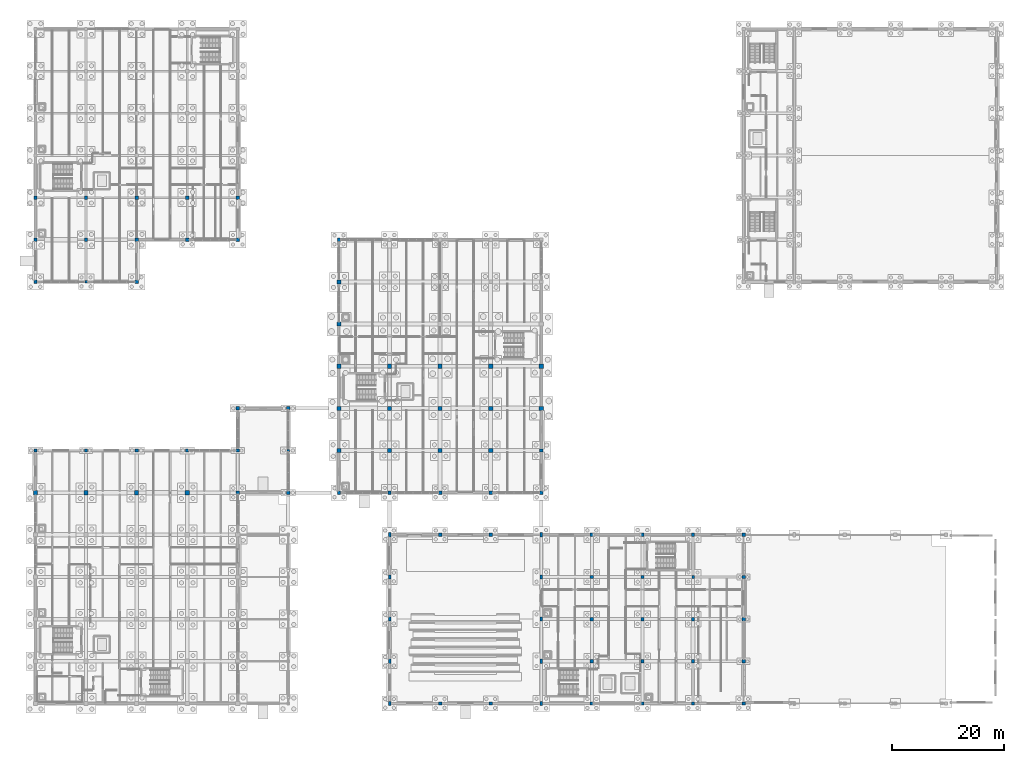
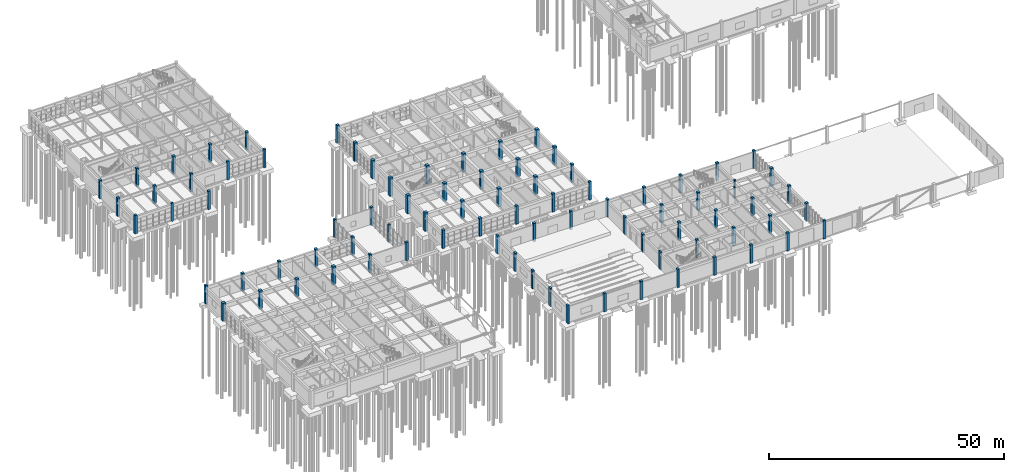
# One storey, part 11 of 93: 84 columns.
"""IFC4 building model written with IfcOpenShell, lengths in metres."""

from ifc_helpers import new_model, si_unit, direction, frame, origin, origin_2d, place, context, subcontext, project, spatial, rectangle, extrude, material, material_profile, profile_set, type_object, element, save


model = new_model("IFC4")

# Units and contexts
model_context = context("Model", 3, precision=1e-05, world=origin(), true_north=direction((0.0, 1.0)))
body_context = subcontext(model_context, "Body", "Model", "MODEL_VIEW")
ifc_project = project(units=[si_unit("LENGTHUNIT", "METRE"), si_unit("AREAUNIT", "SQUARE_METRE"), si_unit("VOLUMEUNIT", "CUBIC_METRE"), si_unit("PLANEANGLEUNIT", "RADIAN"), si_unit("MASSUNIT", "GRAM", prefix="KILO")], contexts=[model_context])

# Site, building, storey
site_placement = place(None, origin())
site = spatial("IfcSite", under=ifc_project, at=site_placement, CompositionType="ELEMENT")
building_placement = place(site_placement, origin())
building = spatial("IfcBuilding", under=site, at=building_placement, Name="Marnridge Secondary College", CompositionType="ELEMENT")
storey_placement = place(building_placement, origin())
storey = spatial("IfcBuildingStorey", under=building, at=storey_placement, Name="L00", CompositionType="ELEMENT", Elevation=0.0)

# Columns
ifc_material_1 = material(Name="Concrete C40/50 (AS 3600 N40, 40 MPa)", Category="concrete")
ifc_material_profile_1 = material_profile(ifc_material_1, rectangle(XDim=0.449951171875, YDim=0.449951171875, at=origin_2d()), Name="RC 450x450")
ifc_profile_set_1 = profile_set([ifc_material_profile_1], Name="Concrete C40/50 (AS 3600 N40, 40 MPa)")
column_type_1 = type_object("IfcColumnType", Name="CL-RC450-EXT", PredefinedType="COLUMN", material=ifc_profile_set_1)
for number, where, z_axis, x_axis, name in (
    (1, (45.0, 45.0, -0.25), (0.0, 0.0, 1.0), (1.0, 0.0, 0.0), "Column C-L00-0289"),
    (2, (9.0, 75.0, -0.25), (0.0, 0.0, 1.0), (1.0, 0.0, 0.0), "Column C-L00-0424"),
):
    element("IfcColumn", number, at=place(storey_placement, frame(where, z_axis=z_axis, x_axis=x_axis)), inside=storey, type_object=column_type_1, Name=name, PredefinedType="COLUMN", context=body_context, shape_type="SweptSolid", body=[
        extrude(rectangle(XDim=0.449951171875, YDim=0.449951171875, at=origin_2d()), origin(), (0.0, 0.0, 1.0), 4.75),
    ])
ifc_material_2 = material(Name="Concrete C40/50 (AS 3600 N40, 40 MPa)", Category="concrete")
ifc_material_profile_2 = material_profile(ifc_material_2, rectangle(XDim=0.449951171875, YDim=0.449951171875, at=origin_2d()), Name="RC 450x450")
ifc_profile_set_2 = profile_set([ifc_material_profile_2], Name="Concrete C40/50 (AS 3600 N40, 40 MPa)")
column_type_2 = type_object("IfcColumnType", Name="CL-RC450-INT", PredefinedType="COLUMN", material=ifc_profile_set_2)
column_placement = place(storey_placement, frame((117.0, 22.5, -0.25), z_axis=(0.0, 0.0, 1.0), x_axis=(1.0, 0.0, 0.0)))
element("IfcColumn", 3, at=column_placement, inside=storey, type_object=column_type_2, Name="Column C-L00-0183", PredefinedType="COLUMN", context=body_context, shape_type="SweptSolid", body=[
    extrude(rectangle(XDim=0.449951171875, YDim=0.449951171875, at=origin_2d()), origin(), (0.0, 0.0, 1.0), 4.75),
])
ifc_material_3 = material(Name="Concrete C40/50 (AS 3600 N40, 40 MPa)", Category="concrete")
ifc_material_profile_3 = material_profile(ifc_material_3, rectangle(XDim=0.449951171875, YDim=0.75, at=origin_2d()), Name="RC 450x750")
ifc_profile_set_3 = profile_set([ifc_material_profile_3], Name="Concrete C40/50 (AS 3600 N40, 40 MPa)")
column_type_3 = type_object("IfcColumnType", Name="CL-RC4575-EXT", PredefinedType="COLUMN", material=ifc_profile_set_3)
for number, where, z_axis, x_axis, name in (
    (4, (63.0, 0.0, -0.25), (0.0, 0.0, 1.0), (1.0, 0.0, 0.0), "Column C-L00-0030"),
    (5, (90.0, 0.0, -0.25), (0.0, 0.0, 1.0), (1.0, 0.0, 0.0), "Column C-L00-0036"),
    (6, (63.0, 7.5, -0.25), (0.0, 0.0, 1.0), (1.0, 0.0, 0.0), "Column C-L00-0082"),
    (7, (90.0, 7.5, -0.25), (0.0, 0.0, 1.0), (1.0, 0.0, 0.0), "Column C-L00-0084"),
    (8, (63.0, 15.0, -0.25), (0.0, 0.0, 1.0), (1.0, 0.0, 0.0), "Column C-L00-0127"),
    (9, (90.0, 15.0, -0.25), (0.0, 0.0, 1.0), (1.0, 0.0, 0.0), "Column C-L00-0129"),
    (10, (63.0, 22.5, -0.25), (0.0, 0.0, 1.0), (1.0, 0.0, 0.0), "Column C-L00-0172"),
    (11, (90.0, 22.5, -0.25), (0.0, 0.0, 1.0), (1.0, 0.0, 0.0), "Column C-L00-0174"),
    (12, (63.0, 30.0, -0.25), (0.0, 0.0, 1.0), (1.0, 0.0, 0.0), "Column C-L00-0217"),
    (13, (90.0, 30.0, -0.25), (0.0, 0.0, 1.0), (1.0, 0.0, 0.0), "Column C-L00-0223"),
):
    element("IfcColumn", number, at=place(storey_placement, frame(where, z_axis=z_axis, x_axis=x_axis)), inside=storey, type_object=column_type_3, Name=name, PredefinedType="COLUMN", context=body_context, shape_type="SweptSolid", body=[
        extrude(rectangle(XDim=0.449951171875, YDim=0.75, at=origin_2d()), origin(), (0.0, 0.0, 1.0), 4.75),
    ])
ifc_material_4 = material(Name="Concrete C40/50 (AS 3600 N40, 40 MPa)", Category="concrete")
ifc_material_profile_4 = material_profile(ifc_material_4, rectangle(XDim=0.60009765625, YDim=0.60009765625, at=origin_2d()), Name="RC 600x600")
ifc_profile_set_4 = profile_set([ifc_material_profile_4], Name="Concrete C40/50 (AS 3600 N40, 40 MPa)")
column_type_4 = type_object("IfcColumnType", Name="CL-RC600-EXT", PredefinedType="COLUMN", material=ifc_profile_set_4)
for number, where, z_axis, x_axis, name in (
    (14, (72.0, 0.0, -0.25), (0.0, 0.0, 1.0), (1.0, 0.0, 0.0), "Column C-L00-0032"),
    (15, (81.0, 0.0, -0.25), (0.0, 0.0, 1.0), (1.0, 0.0, 0.0), "Column C-L00-0034"),
    (16, (99.0, 0.0, -0.25), (0.0, 0.0, 1.0), (1.0, 0.0, 0.0), "Column C-L00-0039"),
    (17, (108.0, 0.0, -0.25), (0.0, 0.0, 1.0), (1.0, 0.0, 0.0), "Column C-L00-0042"),
    (18, (117.0, 0.0, -0.25), (0.0, 0.0, 1.0), (1.0, 0.0, 0.0), "Column C-L00-0045"),
    (19, (126.0, 0.0, -0.25), (0.0, 0.0, 1.0), (1.0, 0.0, 0.0), "Column C-L00-0048"),
    (20, (126.0, 7.5, -0.25), (0.0, 0.0, 1.0), (1.0, 0.0, 0.0), "Column C-L00-0096"),
    (21, (126.0, 15.0, -0.25), (0.0, 0.0, 1.0), (1.0, 0.0, 0.0), "Column C-L00-0141"),
    (22, (126.0, 22.5, -0.25), (0.0, 0.0, 1.0), (1.0, 0.0, 0.0), "Column C-L00-0186"),
    (23, (72.0, 30.0, -0.25), (0.0, 0.0, 1.0), (1.0, 0.0, 0.0), "Column C-L00-0219"),
    (24, (81.0, 30.0, -0.25), (0.0, 0.0, 1.0), (1.0, 0.0, 0.0), "Column C-L00-0221"),
    (25, (99.0, 30.0, -0.25), (0.0, 0.0, 1.0), (1.0, 0.0, 0.0), "Column C-L00-0226"),
    (26, (108.0, 30.0, -0.25), (0.0, 0.0, 1.0), (1.0, 0.0, 0.0), "Column C-L00-0229"),
    (27, (117.0, 30.0, -0.25), (0.0, 0.0, 1.0), (1.0, 0.0, 0.0), "Column C-L00-0232"),
    (28, (126.0, 30.0, -0.25), (0.0, 0.0, 1.0), (1.0, 0.0, 0.0), "Column C-L00-0235"),
    (29, (36.0, 37.5, -0.25), (0.0, 0.0, 1.0), (1.0, 0.0, 0.0), "Column C-L00-0260"),
    (30, (45.0, 37.5, -0.25), (0.0, 0.0, 1.0), (1.0, 0.0, 0.0), "Column C-L00-0263"),
    (31, (54.0, 37.5, -0.25), (0.0, 0.0, 1.0), (1.0, 0.0, 0.0), "Column C-L00-0264"),
    (32, (63.0, 37.5, -0.25), (0.0, 0.0, 1.0), (1.0, 0.0, 0.0), "Column C-L00-0267"),
    (33, (72.0, 37.5, -0.25), (0.0, 0.0, 1.0), (1.0, 0.0, 0.0), "Column C-L00-0270"),
    (34, (81.0, 37.5, -0.25), (0.0, 0.0, 1.0), (1.0, 0.0, 0.0), "Column C-L00-0273"),
    (35, (90.0, 37.5, -0.25), (0.0, 0.0, 1.0), (1.0, 0.0, 0.0), "Column C-L00-0276"),
    (36, (0.0, 45.0, -0.25), (0.0, 0.0, 1.0), (1.0, 0.0, 0.0), "Column C-L00-0279"),
    (37, (9.0, 45.0, -0.25), (0.0, 0.0, 1.0), (1.0, 0.0, 0.0), "Column C-L00-0281"),
    (38, (18.0, 45.0, -0.25), (0.0, 0.0, 1.0), (1.0, 0.0, 0.0), "Column C-L00-0283"),
    (39, (27.0, 45.0, -0.25), (0.0, 0.0, 1.0), (1.0, 0.0, 0.0), "Column C-L00-0285"),
    (40, (36.0, 45.0, -0.25), (0.0, 0.0, 1.0), (1.0, 0.0, 0.0), "Column C-L00-0287"),
    (41, (90.0, 45.0, -0.25), (0.0, 0.0, 1.0), (1.0, 0.0, 0.0), "Column C-L00-0310"),
    (42, (36.0, 52.5, -0.25), (0.0, 0.0, 1.0), (1.0, 0.0, 0.0), "Column C-L00-0314"),
    (43, (45.0, 52.5, -0.25), (0.0, 0.0, 1.0), (1.0, 0.0, 0.0), "Column C-L00-0315"),
    (44, (0.0, 75.0, -0.25), (0.0, 0.0, 1.0), (1.0, 0.0, 0.0), "Column C-L00-0421"),
    (45, (18.0, 75.0, -0.25), (0.0, 0.0, 1.0), (1.0, 0.0, 0.0), "Column C-L00-0427"),
    (46, (0.0, 82.5, -0.25), (0.0, 0.0, 1.0), (1.0, 0.0, 0.0), "Column C-L00-0464"),
    (47, (18.0, 82.5, -0.25), (0.0, 0.0, 1.0), (1.0, 0.0, 0.0), "Column C-L00-0472"),
    (48, (27.0, 82.5, -0.25), (0.0, 0.0, 1.0), (1.0, 0.0, 0.0), "Column C-L00-0476"),
    (49, (36.0, 82.5, -0.25), (0.0, 0.0, 1.0), (1.0, 0.0, 0.0), "Column C-L00-0479"),
    (50, (54.0, 82.5, -0.25), (0.0, 0.0, 1.0), (1.0, 0.0, 0.0), "Column C-L00-0482"),
    (51, (0.0, 90.0, -0.25), (0.0, 0.0, 1.0), (1.0, 0.0, 0.0), "Column C-L00-0503"),
    (52, (36.0, 90.0, -0.25), (0.0, 0.0, 1.0), (1.0, 0.0, 0.0), "Column C-L00-0519"),
):
    element("IfcColumn", number, at=place(storey_placement, frame(where, z_axis=z_axis, x_axis=x_axis)), inside=storey, type_object=column_type_4, Name=name, PredefinedType="COLUMN", context=body_context, shape_type="SweptSolid", body=[
        extrude(rectangle(XDim=0.60009765625, YDim=0.60009765625, at=origin_2d()), origin(), (0.0, 0.0, 1.0), 4.75),
    ])
ifc_material_5 = material(Name="Concrete C40/50 (AS 3600 N40, 40 MPa)", Category="concrete")
ifc_material_profile_5 = material_profile(ifc_material_5, rectangle(XDim=0.60009765625, YDim=0.60009765625, at=origin_2d()), Name="RC 600x600")
ifc_profile_set_5 = profile_set([ifc_material_profile_5], Name="Concrete C40/50 (AS 3600 N40, 40 MPa)")
column_type_5 = type_object("IfcColumnType", Name="CL-RC600-INT", PredefinedType="COLUMN", material=ifc_profile_set_5)
for number, where, z_axis, x_axis, name in (
    (53, (99.0, 7.5, -0.25), (0.0, 0.0, 1.0), (1.0, 0.0, 0.0), "Column C-L00-0087"),
    (54, (108.0, 7.5, -0.25), (0.0, 0.0, 1.0), (1.0, 0.0, 0.0), "Column C-L00-0090"),
    (55, (117.0, 7.5, -0.25), (0.0, 0.0, 1.0), (1.0, 0.0, 0.0), "Column C-L00-0093"),
    (56, (99.0, 15.0, -0.25), (0.0, 0.0, 1.0), (1.0, 0.0, 0.0), "Column C-L00-0132"),
    (57, (108.0, 15.0, -0.25), (0.0, 0.0, 1.0), (1.0, 0.0, 0.0), "Column C-L00-0135"),
    (58, (117.0, 15.0, -0.25), (0.0, 0.0, 1.0), (1.0, 0.0, 0.0), "Column C-L00-0138"),
    (59, (99.0, 22.5, -0.25), (0.0, 0.0, 1.0), (1.0, 0.0, 0.0), "Column C-L00-0177"),
    (60, (108.0, 22.5, -0.25), (0.0, 0.0, 1.0), (1.0, 0.0, 0.0), "Column C-L00-0180"),
    (61, (9.0, 82.5, -0.25), (0.0, 0.0, 1.0), (1.0, 0.0, 0.0), "Column C-L00-0468"),
    (62, (9.0, 90.0, -0.25), (0.0, 0.0, 1.0), (1.0, 0.0, 0.0), "Column C-L00-0507"),
    (63, (18.0, 90.0, -0.25), (0.0, 0.0, 1.0), (1.0, 0.0, 0.0), "Column C-L00-0511"),
    (64, (27.0, 90.0, -0.25), (0.0, 0.0, 1.0), (1.0, 0.0, 0.0), "Column C-L00-0515"),
):
    element("IfcColumn", number, at=place(storey_placement, frame(where, z_axis=z_axis, x_axis=x_axis)), inside=storey, type_object=column_type_5, Name=name, PredefinedType="COLUMN", context=body_context, shape_type="SweptSolid", body=[
        extrude(rectangle(XDim=0.60009765625, YDim=0.60009765625, at=origin_2d()), origin(), (0.0, 0.0, 1.0), 4.75),
    ])
ifc_material_6 = material(Name="Concrete C50/60 (AS 3600 N50, 50 MPa)", Category="concrete")
ifc_material_profile_6 = material_profile(ifc_material_6, rectangle(XDim=0.75, YDim=0.75, at=origin_2d()), Name="RC 750x750")
ifc_profile_set_6 = profile_set([ifc_material_profile_6], Name="Concrete C50/60 (AS 3600 N50, 50 MPa)")
column_type_6 = type_object("IfcColumnType", Name="CL-RC750-EXT", PredefinedType="COLUMN", material=ifc_profile_set_6)
for number, where, z_axis, x_axis, name in (
    (65, (0.0, 37.5, -0.25), (0.0, 0.0, 1.0), (1.0, 0.0, 0.0), "Column C-L00-0240"),
    (66, (54.0, 45.0, -0.25), (0.0, 0.0, 1.0), (1.0, 0.0, 0.0), "Column C-L00-0290"),
    (67, (54.0, 52.5, -0.25), (0.0, 0.0, 1.0), (1.0, 0.0, 0.0), "Column C-L00-0316"),
    (68, (90.0, 52.5, -0.25), (0.0, 0.0, 1.0), (1.0, 0.0, 0.0), "Column C-L00-0344"),
    (69, (54.0, 60.0, -0.25), (0.0, 0.0, 1.0), (1.0, 0.0, 0.0), "Column C-L00-0351"),
    (70, (90.0, 60.0, -0.25), (0.0, 0.0, 1.0), (1.0, 0.0, 0.0), "Column C-L00-0379"),
    (71, (54.0, 67.5, -0.25), (0.0, 0.0, 1.0), (1.0, 0.0, 0.0), "Column C-L00-0386"),
    (72, (54.0, 75.0, -0.25), (0.0, 0.0, 1.0), (1.0, 0.0, 0.0), "Column C-L00-0430"),
):
    element("IfcColumn", number, at=place(storey_placement, frame(where, z_axis=z_axis, x_axis=x_axis)), inside=storey, type_object=column_type_6, Name=name, PredefinedType="COLUMN", context=body_context, shape_type="SweptSolid", body=[
        extrude(rectangle(XDim=0.75, YDim=0.75, at=origin_2d()), origin(), (0.0, 0.0, 1.0), 4.75),
    ])
ifc_material_7 = material(Name="Concrete C50/60 (AS 3600 N50, 50 MPa)", Category="concrete")
ifc_material_profile_7 = material_profile(ifc_material_7, rectangle(XDim=0.75, YDim=0.75, at=origin_2d()), Name="RC 750x750")
ifc_profile_set_7 = profile_set([ifc_material_profile_7], Name="Concrete C50/60 (AS 3600 N50, 50 MPa)")
column_type_7 = type_object("IfcColumnType", Name="CL-RC750-INT", PredefinedType="COLUMN", material=ifc_profile_set_7)
for number, where, z_axis, x_axis, name in (
    (73, (9.0, 37.5, -0.25), (0.0, 0.0, 1.0), (1.0, 0.0, 0.0), "Column C-L00-0245"),
    (74, (18.0, 37.5, -0.25), (0.0, 0.0, 1.0), (1.0, 0.0, 0.0), "Column C-L00-0250"),
    (75, (27.0, 37.5, -0.25), (0.0, 0.0, 1.0), (1.0, 0.0, 0.0), "Column C-L00-0255"),
    (76, (63.0, 45.0, -0.25), (0.0, 0.0, 1.0), (1.0, 0.0, 0.0), "Column C-L00-0295"),
    (77, (72.0, 45.0, -0.25), (0.0, 0.0, 1.0), (1.0, 0.0, 0.0), "Column C-L00-0300"),
    (78, (81.0, 45.0, -0.25), (0.0, 0.0, 1.0), (1.0, 0.0, 0.0), "Column C-L00-0305"),
    (79, (63.0, 52.5, -0.25), (0.0, 0.0, 1.0), (1.0, 0.0, 0.0), "Column C-L00-0323"),
    (80, (72.0, 52.5, -0.25), (0.0, 0.0, 1.0), (1.0, 0.0, 0.0), "Column C-L00-0330"),
    (81, (81.0, 52.5, -0.25), (0.0, 0.0, 1.0), (1.0, 0.0, 0.0), "Column C-L00-0337"),
    (82, (63.0, 60.0, -0.25), (0.0, 0.0, 1.0), (1.0, 0.0, 0.0), "Column C-L00-0358"),
    (83, (72.0, 60.0, -0.25), (0.0, 0.0, 1.0), (1.0, 0.0, 0.0), "Column C-L00-0365"),
    (84, (81.0, 60.0, -0.25), (0.0, 0.0, 1.0), (1.0, 0.0, 0.0), "Column C-L00-0372"),
):
    element("IfcColumn", number, at=place(storey_placement, frame(where, z_axis=z_axis, x_axis=x_axis)), inside=storey, type_object=column_type_7, Name=name, PredefinedType="COLUMN", context=body_context, shape_type="SweptSolid", body=[
        extrude(rectangle(XDim=0.75, YDim=0.75, at=origin_2d()), origin(), (0.0, 0.0, 1.0), 4.75),
    ])

save(model, "model.ifc")
